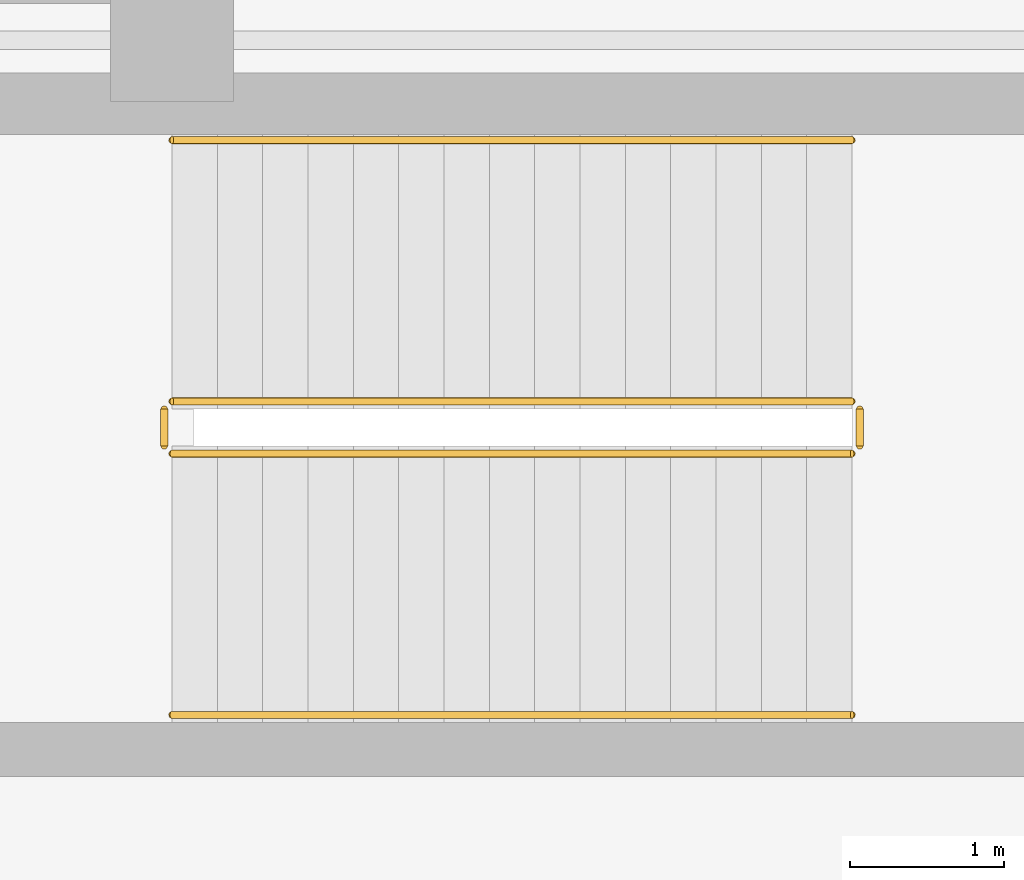
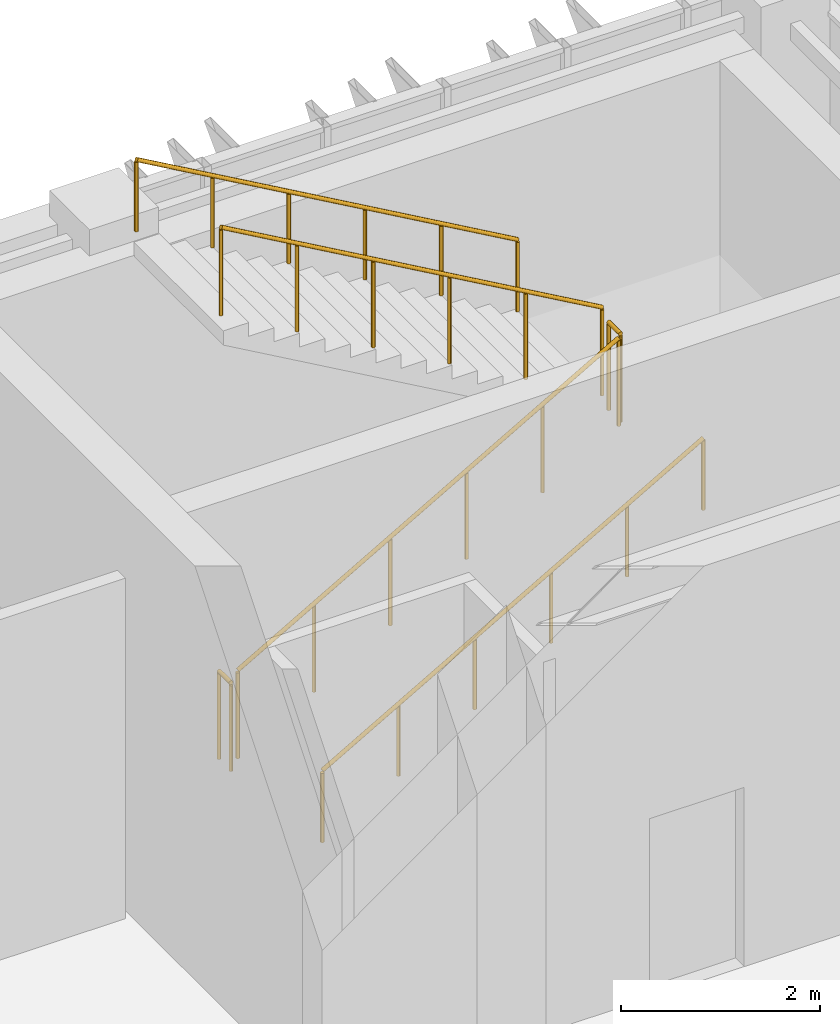
# One storey, part 116 of 122: 6 railings.
"""IFC4 building model written with IfcOpenShell, lengths in metres."""

from ifc_helpers import new_model, si_unit, direction, frame, origin, origin_2d, place, context, subcontext, project, spatial, circle, extrude, material, type_object, element, save


model = new_model("IFC4")

# Units and contexts
model_context = context("Model", 3, precision=1e-05, world=origin(), true_north=direction((0.0, 1.0)))
body_context = subcontext(model_context, "Body", "Model", "MODEL_VIEW")
ifc_project = project(units=[si_unit("LENGTHUNIT", "METRE"), si_unit("AREAUNIT", "SQUARE_METRE"), si_unit("VOLUMEUNIT", "CUBIC_METRE"), si_unit("PLANEANGLEUNIT", "RADIAN"), si_unit("MASSUNIT", "GRAM", prefix="KILO")], contexts=[model_context])

# Site, building, storey
site_placement = place(None, origin())
site = spatial("IfcSite", under=ifc_project, at=site_placement, CompositionType="ELEMENT")
building_placement = place(site_placement, origin())
building = spatial("IfcBuilding", under=site, at=building_placement, Name="Zayran Congress Hotel", CompositionType="ELEMENT")
storey_placement = place(building_placement, origin())
storey = spatial("IfcBuildingStorey", under=building, at=storey_placement, Name="L00", CompositionType="ELEMENT", Elevation=0.0)

# Railings
ifc_material_1 = material(Name="Painted steel balustrade", Category="steel")
railing_type_1 = type_object("IfcRailingType", Name="TP-GRD-INT", PredefinedType="GUARDRAIL", material=ifc_material_1)
railing_1_placement = place(storey_placement, frame((84.0, 114.7099609375, 0.168701171875)))
element("IfcRailing", 1, at=railing_1_placement, inside=storey, type_object=railing_type_1, Name="L00 ST-04 stair guard 1", PredefinedType="GUARDRAIL", context=body_context, shape_type="SweptSolid", body=[
    extrude(circle(Radius=0.02392578125, at=origin_2d()), frame((0.0, 0.0, 1.076171875), z_axis=(0.868019072493, 0.0, 0.49653085482), x_axis=(0.0, 1.0, 0.0)), (0.0, 0.0, 1.0), 5.097900390625),
    extrude(circle(Radius=0.02099609375, at=origin_2d()), origin(), (0.0, 0.0, 1.0), 1.052001953125),
    extrude(circle(Radius=0.02099609375, at=origin_2d()), frame((0.885009765625, 0.0, 0.50634765625)), (0.0, 0.0, 1.0), 1.052001953125),
    extrude(circle(Radius=0.02099609375, at=origin_2d()), frame((1.77001953125, 0.0, 1.012451171875)), (0.0, 0.0, 1.0), 1.052001953125),
    extrude(circle(Radius=0.02099609375, at=origin_2d()), frame((2.655029296875, 0.0, 1.518798828125)), (0.0, 0.0, 1.0), 1.052001953125),
    extrude(circle(Radius=0.02099609375, at=origin_2d()), frame((3.5400390625, 0.0, 2.02490234375)), (0.0, 0.0, 1.0), 1.052001953125),
    extrude(circle(Radius=0.02099609375, at=origin_2d()), frame((4.425048828125, 0.0, 2.53125)), (0.0, 0.0, 1.0), 1.052001953125),
])
railing_2_placement = place(storey_placement, frame((88.47509765625, 114.760009765625, 2.699951171875)))
element("IfcRailing", 2, at=railing_2_placement, inside=storey, type_object=railing_type_1, Name="L00 ST-04 stair guard 2", PredefinedType="GUARDRAIL", context=body_context, shape_type="SweptSolid", body=[
    extrude(circle(Radius=0.02392578125, at=origin_2d()), frame((0.0, 0.0, 1.076171875), z_axis=(0.0, 1.0, 0.0), x_axis=(-1.0, 0.0, 0.0)), (0.0, 0.0, 1.0), 0.239990234375),
    extrude(circle(Radius=0.02099609375, at=origin_2d()), origin(), (0.0, 0.0, 1.0), 1.052001953125),
    extrude(circle(Radius=0.02099609375, at=origin_2d()), frame((0.0, 0.239990234375, 0.0)), (0.0, 0.0, 1.0), 1.052001953125),
])
railing_3_placement = place(storey_placement, frame((88.425048828125, 115.050048828125, 2.86865234375)))
element("IfcRailing", 3, at=railing_3_placement, inside=storey, type_object=railing_type_1, Name="L00 ST-04 stair guard 3", PredefinedType="GUARDRAIL", context=body_context, shape_type="SweptSolid", body=[
    extrude(circle(Radius=0.02392578125, at=origin_2d()), frame((0.0, 0.0, 1.076171875), z_axis=(-0.868019072493, 0.0, 0.49653085482), x_axis=(0.0, -1.0, 0.0)), (0.0, 0.0, 1.0), 5.097900390625),
    extrude(circle(Radius=0.02099609375, at=origin_2d()), origin(), (0.0, 0.0, 1.0), 1.052001953125),
    extrude(circle(Radius=0.02099609375, at=origin_2d()), frame((-0.885009765625, 0.0, 0.50634765625)), (0.0, 0.0, 1.0), 1.052001953125),
    extrude(circle(Radius=0.02099609375, at=origin_2d()), frame((-1.77001953125, 0.0, 1.012451171875)), (0.0, 0.0, 1.0), 1.052001953125),
    extrude(circle(Radius=0.02099609375, at=origin_2d()), frame((-2.655029296875, 0.0, 1.518798828125)), (0.0, 0.0, 1.0), 1.052001953125),
    extrude(circle(Radius=0.02099609375, at=origin_2d()), frame((-3.5400390625, 0.0, 2.02490234375)), (0.0, 0.0, 1.0), 1.052001953125),
    extrude(circle(Radius=0.02099609375, at=origin_2d()), frame((-4.425048828125, 0.0, 2.53125)), (0.0, 0.0, 1.0), 1.052001953125),
])
railing_4_placement = place(storey_placement, frame((83.949951171875, 114.760009765625, 0.0)))
element("IfcRailing", 4, at=railing_4_placement, inside=storey, type_object=railing_type_1, Name="L00 ST-04 stair guard 4", PredefinedType="GUARDRAIL", context=body_context, shape_type="SweptSolid", body=[
    extrude(circle(Radius=0.02392578125, at=origin_2d()), frame((0.0, 0.0, 1.076171875), z_axis=(0.0, 1.0, 0.0), x_axis=(-1.0, 0.0, 0.0)), (0.0, 0.0, 1.0), 0.239990234375),
    extrude(circle(Radius=0.02099609375, at=origin_2d()), origin(), (0.0, 0.0, 1.0), 1.052001953125),
    extrude(circle(Radius=0.02099609375, at=origin_2d()), frame((0.0, 0.239990234375, 0.0)), (0.0, 0.0, 1.0), 1.052001953125),
])
ifc_material_2 = material(Name="Brushed stainless steel handrail", Category="steel")
railing_type_2 = type_object("IfcRailingType", Name="TP-HND-STR", PredefinedType="HANDRAIL", material=ifc_material_2)
railing_5_placement = place(storey_placement, frame((84.0, 113.010009765625, 0.168701171875)))
element("IfcRailing", 5, at=railing_5_placement, inside=storey, type_object=railing_type_2, Name="L00 ST-04 stair handrail 1", PredefinedType="HANDRAIL", context=body_context, shape_type="SweptSolid", body=[
    extrude(circle(Radius=0.02392578125, at=origin_2d()), frame((0.0, 0.0, 0.8759765625), z_axis=(0.868019072493, 0.0, 0.49653085482), x_axis=(0.0, 1.0, 0.0)), (0.0, 0.0, 1.0), 5.097900390625),
    extrude(circle(Radius=0.02099609375, at=origin_2d()), origin(), (0.0, 0.0, 1.0), 0.851806640625),
    extrude(circle(Radius=0.02099609375, at=origin_2d()), frame((0.885009765625, 0.0, 0.50634765625)), (0.0, 0.0, 1.0), 0.851806640625),
    extrude(circle(Radius=0.02099609375, at=origin_2d()), frame((1.77001953125, 0.0, 1.012451171875)), (0.0, 0.0, 1.0), 0.851806640625),
    extrude(circle(Radius=0.02099609375, at=origin_2d()), frame((2.655029296875, 0.0, 1.518798828125)), (0.0, 0.0, 1.0), 0.851806640625),
    extrude(circle(Radius=0.02099609375, at=origin_2d()), frame((3.5400390625, 0.0, 2.02490234375)), (0.0, 0.0, 1.0), 0.851806640625),
    extrude(circle(Radius=0.02099609375, at=origin_2d()), frame((4.425048828125, 0.0, 2.53125)), (0.0, 0.0, 1.0), 0.851806640625),
])
railing_6_placement = place(storey_placement, frame((88.425048828125, 116.75, 2.86865234375)))
element("IfcRailing", 6, at=railing_6_placement, inside=storey, type_object=railing_type_2, Name="L00 ST-04 stair handrail 2", PredefinedType="HANDRAIL", context=body_context, shape_type="SweptSolid", body=[
    extrude(circle(Radius=0.02392578125, at=origin_2d()), frame((0.0, 0.0, 0.8759765625), z_axis=(-0.868019072493, 0.0, 0.49653085482), x_axis=(0.0, -1.0, 0.0)), (0.0, 0.0, 1.0), 5.097900390625),
    extrude(circle(Radius=0.02099609375, at=origin_2d()), origin(), (0.0, 0.0, 1.0), 0.851806640625),
    extrude(circle(Radius=0.02099609375, at=origin_2d()), frame((-0.885009765625, 0.0, 0.50634765625)), (0.0, 0.0, 1.0), 0.851806640625),
    extrude(circle(Radius=0.02099609375, at=origin_2d()), frame((-1.77001953125, 0.0, 1.012451171875)), (0.0, 0.0, 1.0), 0.851806640625),
    extrude(circle(Radius=0.02099609375, at=origin_2d()), frame((-2.655029296875, 0.0, 1.518798828125)), (0.0, 0.0, 1.0), 0.851806640625),
    extrude(circle(Radius=0.02099609375, at=origin_2d()), frame((-3.5400390625, 0.0, 2.02490234375)), (0.0, 0.0, 1.0), 0.851806640625),
    extrude(circle(Radius=0.02099609375, at=origin_2d()), frame((-4.425048828125, 0.0, 2.53125)), (0.0, 0.0, 1.0), 0.851806640625),
])

save(model, "model.ifc")
